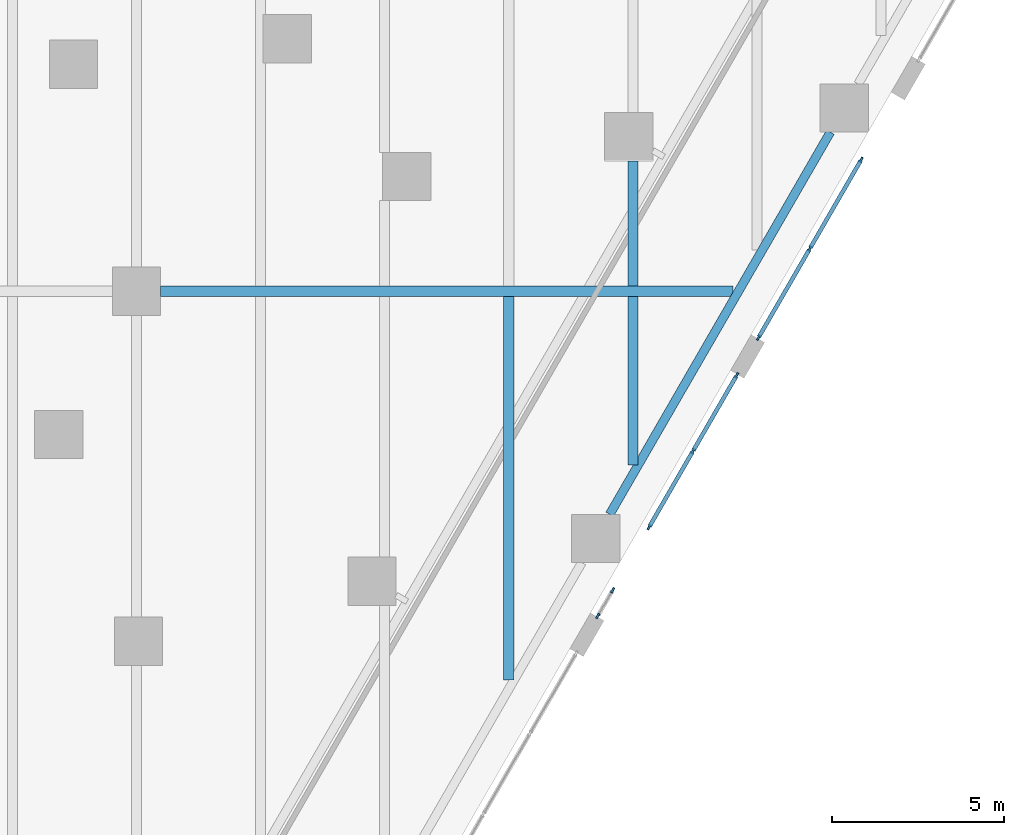
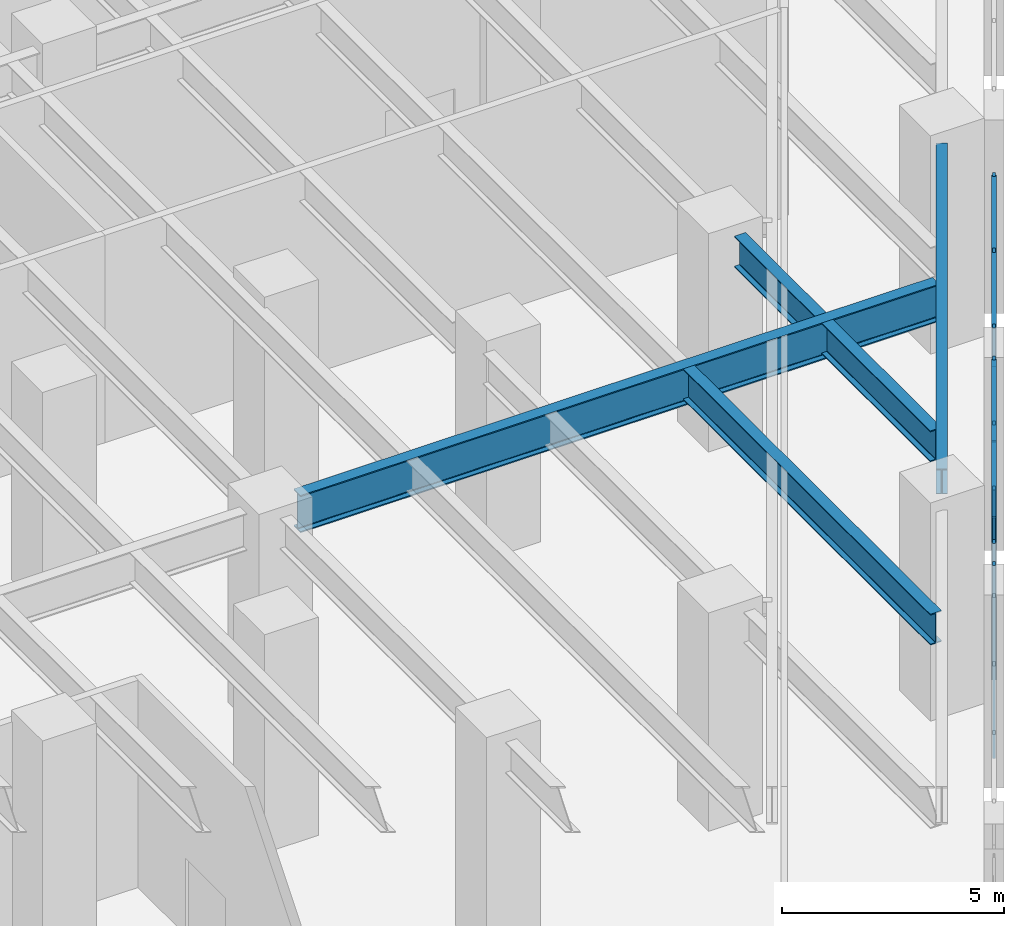
# One storey, part 13 of 37: 20 members, 5 beams, 3 elements without a shape of their own.
"""IFC4 building model written with IfcOpenShell, lengths in metres."""

from ifc_helpers import new_model, si_unit, direction, frame, origin, origin_2d, place, context, subcontext, project, spatial, rectangle, i_section, extrude, material, material_profile, profile_set, type_object, element, aggregate, save


model = new_model("IFC4")

# Units and contexts
model_context = context("Model", 3, precision=1e-05, world=origin(), true_north=direction((0.0, 1.0)))
body_context = subcontext(model_context, "Body", "Model", "MODEL_VIEW")
ifc_project = project(units=[si_unit("LENGTHUNIT", "METRE"), si_unit("AREAUNIT", "SQUARE_METRE"), si_unit("VOLUMEUNIT", "CUBIC_METRE"), si_unit("PLANEANGLEUNIT", "RADIAN"), si_unit("MASSUNIT", "GRAM", prefix="KILO")], contexts=[model_context])

# Site, building, storey
site_placement = place(None, origin())
site = spatial("IfcSite", under=ifc_project, at=site_placement, CompositionType="ELEMENT")
building_placement = place(site_placement, origin())
building = spatial("IfcBuilding", under=site, at=building_placement, Name="Aloe Facet Convention Tower", CompositionType="ELEMENT")
storey_placement = place(building_placement, frame((0.0, 0.0, 7.5)))
storey = spatial("IfcBuildingStorey", under=building, at=storey_placement, Name="L01", CompositionType="ELEMENT", Elevation=7.5)

# Curtain wall, members
ifc_material_1 = material(Name="Aluminium, anodised", Category="aluminium")
curtain_wall_type = type_object("IfcCurtainWallType", Name="EV-CW-SHOP", PredefinedType="USERDEFINED", material=ifc_material_1)
curtain_wall_1_placement = place(storey_placement, origin())
curtain_wall_1 = element("IfcCurtainWall", 1, at=curtain_wall_1_placement, inside=storey, type_object=curtain_wall_type, Name="CW-L01-E14-1", ObjectType="STICK SHOPFRONT GLAZING", PredefinedType="USERDEFINED")
ifc_material_2 = material(Name="Aluminium, anodised", Category="aluminium")
ifc_material_profile_1 = material_profile(ifc_material_2, rectangle(XDim=0.06005859375, YDim=0.159912109375, at=origin_2d()), Name="AL 60x160")
ifc_profile_set_1 = profile_set([ifc_material_profile_1], Name="Aluminium, anodised")
member_type_1 = type_object("IfcMemberType", Name="EV-MULL-SHOP", PredefinedType="MULLION", material=ifc_profile_set_1)
member_1_placement = place(storey_placement, frame((111.38427734375, 89.57958984375, -0.300048828125), z_axis=(0.0, 0.0, 1.0), x_axis=(-0.866025403872, 0.499999999849, 0.0)))
member_1 = element("IfcMember", 2, at=member_1_placement, type_object=member_type_1, Name="CW-L01-E14-1 mullion 1", PredefinedType="MULLION", context=body_context, shape_type="SweptSolid", body=[
    extrude(rectangle(XDim=0.06005859375, YDim=0.159912109375, at=origin_2d()), origin(), (0.0, 0.0, 1.0), 5.3125),
])
member_2_placement = place(storey_placement, frame((111.81591796875, 90.327392578125, -0.300048828125), z_axis=(0.0, 0.0, 1.0), x_axis=(-0.866025403872, 0.499999999849, 0.0)))
member_2 = element("IfcMember", 3, at=member_2_placement, type_object=member_type_1, Name="CW-L01-E14-1 mullion 2", PredefinedType="MULLION", context=body_context, shape_type="SweptSolid", body=[
    extrude(rectangle(XDim=0.06005859375, YDim=0.159912109375, at=origin_2d()), origin(), (0.0, 0.0, 1.0), 5.3125),
])
aggregate(curtain_wall_1, [member_1, member_2])

curtain_wall_2_placement = place(storey_placement, origin())
curtain_wall_2 = element("IfcCurtainWall", 4, at=curtain_wall_2_placement, inside=storey, type_object=curtain_wall_type, Name="CW-L01-E14-2", ObjectType="STICK SHOPFRONT GLAZING", PredefinedType="USERDEFINED")
member_3_placement = place(storey_placement, frame((112.87060546875, 92.15380859375, -0.300048828125), z_axis=(0.0, 0.0, 1.0), x_axis=(-0.866025403715, 0.500000000121, 0.0)))
member_3 = element("IfcMember", 5, at=member_3_placement, type_object=member_type_1, Name="CW-L01-E14-2 mullion 1", PredefinedType="MULLION", context=body_context, shape_type="SweptSolid", body=[
    extrude(rectangle(XDim=0.06005859375, YDim=0.159912109375, at=origin_2d()), origin(), (0.0, 0.0, 1.0), 5.3125),
])
member_4_placement = place(storey_placement, frame((114.142822265625, 94.357421875, -0.300048828125), z_axis=(0.0, 0.0, 1.0), x_axis=(-0.866025403715, 0.500000000121, 0.0)))
member_4 = element("IfcMember", 6, at=member_4_placement, type_object=member_type_1, Name="CW-L01-E14-2 mullion 2", PredefinedType="MULLION", context=body_context, shape_type="SweptSolid", body=[
    extrude(rectangle(XDim=0.06005859375, YDim=0.159912109375, at=origin_2d()), origin(), (0.0, 0.0, 1.0), 5.3125),
])
member_5_placement = place(storey_placement, frame((115.4150390625, 96.56103515625, -0.300048828125), z_axis=(0.0, 0.0, 1.0), x_axis=(-0.866025403715, 0.500000000121, 0.0)))
member_5 = element("IfcMember", 7, at=member_5_placement, type_object=member_type_1, Name="CW-L01-E14-2 mullion 3", PredefinedType="MULLION", context=body_context, shape_type="SweptSolid", body=[
    extrude(rectangle(XDim=0.06005859375, YDim=0.159912109375, at=origin_2d()), origin(), (0.0, 0.0, 1.0), 5.3125),
])

curtain_wall_3_placement = place(storey_placement, origin())
curtain_wall_3 = element("IfcCurtainWall", 8, at=curtain_wall_3_placement, inside=storey, type_object=curtain_wall_type, Name="CW-L01-E16", ObjectType="STICK SHOPFRONT GLAZING", PredefinedType="USERDEFINED")
member_6_placement = place(storey_placement, frame((116.044921875, 97.652099609375, -0.300048828125), z_axis=(0.0, 0.0, 1.0), x_axis=(-0.866025403828, 0.499999999924, 0.0)))
member_6 = element("IfcMember", 9, at=member_6_placement, type_object=member_type_1, Name="CW-L01-E16 mullion 1", PredefinedType="MULLION", context=body_context, shape_type="SweptSolid", body=[
    extrude(rectangle(XDim=0.06005859375, YDim=0.159912109375, at=origin_2d()), origin(), (0.0, 0.0, 1.0), 5.3125),
])
member_7_placement = place(storey_placement, frame((117.534423828125, 100.232177734375, -0.300048828125), z_axis=(0.0, 0.0, 1.0), x_axis=(-0.866025403828, 0.499999999924, 0.0)))
member_7 = element("IfcMember", 10, at=member_7_placement, type_object=member_type_1, Name="CW-L01-E16 mullion 2", PredefinedType="MULLION", context=body_context, shape_type="SweptSolid", body=[
    extrude(rectangle(XDim=0.06005859375, YDim=0.159912109375, at=origin_2d()), origin(), (0.0, 0.0, 1.0), 5.3125),
])
member_8_placement = place(storey_placement, frame((119.024169921875, 102.812255859375, -0.300048828125), z_axis=(0.0, 0.0, 1.0), x_axis=(-0.866025403828, 0.499999999924, 0.0)))
member_8 = element("IfcMember", 11, at=member_8_placement, type_object=member_type_1, Name="CW-L01-E16 mullion 3", PredefinedType="MULLION", context=body_context, shape_type="SweptSolid", body=[
    extrude(rectangle(XDim=0.06005859375, YDim=0.159912109375, at=origin_2d()), origin(), (0.0, 0.0, 1.0), 5.3125),
])

# Member
ifc_material_3 = material(Name="Aluminium, anodised", Category="aluminium")
ifc_material_profile_2 = material_profile(ifc_material_3, rectangle(XDim=0.1201171875, YDim=0.06005859375, at=origin_2d()), Name="AL 120x60")
ifc_profile_set_2 = profile_set([ifc_material_profile_2], Name="Aluminium, anodised")
member_type_2 = type_object("IfcMemberType", Name="EV-TRAN-SHOP", PredefinedType="USERDEFINED", material=ifc_profile_set_2)
member_9_placement = place(storey_placement, frame((112.885498046875, 92.179931640625, -0.27001953125), z_axis=(0.499986149909, 0.86603339999, 0.0), x_axis=(-0.86603339999, 0.499986149909, 0.0)))
member_9 = element("IfcMember", 12, at=member_9_placement, type_object=member_type_2, Name="CW-L01-E14-2 transom 1.1", ObjectType="TRANSOM", PredefinedType="USERDEFINED", context=body_context, shape_type="SweptSolid", body=[
    extrude(rectangle(XDim=0.1201171875, YDim=0.06005859375, at=origin_2d()), origin(), (0.0, 0.0, 1.0), 2.484375),
])

member_10_placement = place(storey_placement, frame((112.885498046875, 92.179931640625, 2.356201171875), z_axis=(0.499986149909, 0.86603339999, 0.0), x_axis=(-0.86603339999, 0.499986149909, 0.0)))
member_10 = element("IfcMember", 13, at=member_10_placement, type_object=member_type_2, Name="CW-L01-E14-2 transom 1.2", ObjectType="TRANSOM", PredefinedType="USERDEFINED", context=body_context, shape_type="SweptSolid", body=[
    extrude(rectangle(XDim=0.1201171875, YDim=0.06005859375, at=origin_2d()), origin(), (0.0, 0.0, 1.0), 2.484375),
])

member_11_placement = place(storey_placement, frame((112.885498046875, 92.179931640625, 4.982421875), z_axis=(0.499986149909, 0.86603339999, 0.0), x_axis=(-0.86603339999, 0.499986149909, 0.0)))
member_11 = element("IfcMember", 14, at=member_11_placement, type_object=member_type_2, Name="CW-L01-E14-2 transom 1.3", ObjectType="TRANSOM", PredefinedType="USERDEFINED", context=body_context, shape_type="SweptSolid", body=[
    extrude(rectangle(XDim=0.1201171875, YDim=0.06005859375, at=origin_2d()), origin(), (0.0, 0.0, 1.0), 2.484375),
])

member_12_placement = place(storey_placement, frame((114.15771484375, 94.383544921875, -0.27001953125), z_axis=(0.500028703312, 0.866008831286, 0.0), x_axis=(-0.866008831286, 0.500028703312, 0.0)))
member_12 = element("IfcMember", 15, at=member_12_placement, type_object=member_type_2, Name="CW-L01-E14-2 transom 2.1", ObjectType="TRANSOM", PredefinedType="USERDEFINED", context=body_context, shape_type="SweptSolid", body=[
    extrude(rectangle(XDim=0.1201171875, YDim=0.06005859375, at=origin_2d()), origin(), (0.0, 0.0, 1.0), 2.484130859375),
])

member_13_placement = place(storey_placement, frame((114.15771484375, 94.383544921875, 2.356201171875), z_axis=(0.500028703312, 0.866008831286, 0.0), x_axis=(-0.866008831286, 0.500028703312, 0.0)))
member_13 = element("IfcMember", 16, at=member_13_placement, type_object=member_type_2, Name="CW-L01-E14-2 transom 2.2", ObjectType="TRANSOM", PredefinedType="USERDEFINED", context=body_context, shape_type="SweptSolid", body=[
    extrude(rectangle(XDim=0.1201171875, YDim=0.06005859375, at=origin_2d()), origin(), (0.0, 0.0, 1.0), 2.484130859375),
])

member_14_placement = place(storey_placement, frame((114.15771484375, 94.383544921875, 4.982421875), z_axis=(0.500028703312, 0.866008831286, 0.0), x_axis=(-0.866008831286, 0.500028703312, 0.0)))
member_14 = element("IfcMember", 17, at=member_14_placement, type_object=member_type_2, Name="CW-L01-E14-2 transom 2.3", ObjectType="TRANSOM", PredefinedType="USERDEFINED", context=body_context, shape_type="SweptSolid", body=[
    extrude(rectangle(XDim=0.1201171875, YDim=0.06005859375, at=origin_2d()), origin(), (0.0, 0.0, 1.0), 2.484130859375),
])

aggregate(curtain_wall_2, [member_3, member_4, member_5, member_9, member_10, member_11, member_12, member_13, member_14])

member_15_placement = place(storey_placement, frame((116.059814453125, 97.67822265625, -0.27001953125), z_axis=(0.500033742649, 0.86600592158, 0.0), x_axis=(-0.86600592158, 0.500033742649, 0.0)))
member_15 = element("IfcMember", 18, at=member_15_placement, type_object=member_type_2, Name="CW-L01-E16 transom 1.1", ObjectType="TRANSOM", PredefinedType="USERDEFINED", context=body_context, shape_type="SweptSolid", body=[
    extrude(rectangle(XDim=0.1201171875, YDim=0.06005859375, at=origin_2d()), origin(), (0.0, 0.0, 1.0), 2.919189453125),
])

member_16_placement = place(storey_placement, frame((116.059814453125, 97.67822265625, 2.356201171875), z_axis=(0.500033742649, 0.86600592158, 0.0), x_axis=(-0.86600592158, 0.500033742649, 0.0)))
member_16 = element("IfcMember", 19, at=member_16_placement, type_object=member_type_2, Name="CW-L01-E16 transom 1.2", ObjectType="TRANSOM", PredefinedType="USERDEFINED", context=body_context, shape_type="SweptSolid", body=[
    extrude(rectangle(XDim=0.1201171875, YDim=0.06005859375, at=origin_2d()), origin(), (0.0, 0.0, 1.0), 2.919189453125),
])

member_17_placement = place(storey_placement, frame((116.059814453125, 97.67822265625, 4.982421875), z_axis=(0.500033742649, 0.86600592158, 0.0), x_axis=(-0.86600592158, 0.500033742649, 0.0)))
member_17 = element("IfcMember", 20, at=member_17_placement, type_object=member_type_2, Name="CW-L01-E16 transom 1.3", ObjectType="TRANSOM", PredefinedType="USERDEFINED", context=body_context, shape_type="SweptSolid", body=[
    extrude(rectangle(XDim=0.1201171875, YDim=0.06005859375, at=origin_2d()), origin(), (0.0, 0.0, 1.0), 2.919189453125),
])

member_18_placement = place(storey_placement, frame((117.549560546875, 100.25830078125, -0.27001953125), z_axis=(0.500033742649, 0.86600592158, 0.0), x_axis=(-0.86600592158, 0.500033742649, 0.0)))
member_18 = element("IfcMember", 21, at=member_18_placement, type_object=member_type_2, Name="CW-L01-E16 transom 2.1", ObjectType="TRANSOM", PredefinedType="USERDEFINED", context=body_context, shape_type="SweptSolid", body=[
    extrude(rectangle(XDim=0.1201171875, YDim=0.06005859375, at=origin_2d()), origin(), (0.0, 0.0, 1.0), 2.919189453125),
])

member_19_placement = place(storey_placement, frame((117.549560546875, 100.25830078125, 2.356201171875), z_axis=(0.500033742649, 0.86600592158, 0.0), x_axis=(-0.86600592158, 0.500033742649, 0.0)))
member_19 = element("IfcMember", 22, at=member_19_placement, type_object=member_type_2, Name="CW-L01-E16 transom 2.2", ObjectType="TRANSOM", PredefinedType="USERDEFINED", context=body_context, shape_type="SweptSolid", body=[
    extrude(rectangle(XDim=0.1201171875, YDim=0.06005859375, at=origin_2d()), origin(), (0.0, 0.0, 1.0), 2.919189453125),
])

member_20_placement = place(storey_placement, frame((117.549560546875, 100.25830078125, 4.982421875), z_axis=(0.500033742649, 0.86600592158, 0.0), x_axis=(-0.86600592158, 0.500033742649, 0.0)))
member_20 = element("IfcMember", 23, at=member_20_placement, type_object=member_type_2, Name="CW-L01-E16 transom 2.3", ObjectType="TRANSOM", PredefinedType="USERDEFINED", context=body_context, shape_type="SweptSolid", body=[
    extrude(rectangle(XDim=0.1201171875, YDim=0.06005859375, at=origin_2d()), origin(), (0.0, 0.0, 1.0), 2.919189453125),
])

aggregate(curtain_wall_3, [member_6, member_7, member_8, member_15, member_16, member_17, member_18, member_19, member_20])

# Beams
ifc_material_4 = material(Name="Steel S355", Category="steel")
ifc_material_profile_3 = material_profile(ifc_material_4, i_section(OverallWidth=0.305419921875, OverallDepth=1.02587890625, WebThickness=0.02001953125, FlangeThickness=0.031005859375, FilletRadius=0.030029296875, at=origin_2d()), Name="UB 1016x305x349")
ifc_profile_set_3 = profile_set([ifc_material_profile_3], Name="Steel S355")
beam_type_1 = type_object("IfcBeamType", Name="SF-B-UB1016x305x349", PredefinedType="BEAM", material=ifc_profile_set_3)
beam_1_placement = place(storey_placement, frame((98.699951171875, 99.0, 5.18701171875), z_axis=(1.0, 0.0, 0.0), x_axis=(0.0, 1.0, 0.0)))
element("IfcBeam", 24, at=beam_1_placement, inside=storey, type_object=beam_type_1, Name="Floor beam FB-L02-046", PredefinedType="BEAM", context=body_context, shape_type="SweptSolid", body=[
    extrude(i_section(OverallWidth=0.305419921875, OverallDepth=1.02587890625, WebThickness=0.02001953125, FlangeThickness=0.031005859375, FilletRadius=0.030029296875, at=origin_2d()), origin(), (0.0, 0.0, 1.0), 16.609375),
])
ifc_material_5 = material(Name="Steel S355", Category="steel")
ifc_material_profile_4 = material_profile(ifc_material_5, i_section(OverallWidth=0.25439453125, OverallDepth=0.6875, WebThickness=0.01318359375, FlangeThickness=0.02099609375, FilletRadius=0.01513671875, at=origin_2d()), Name="UB 686x254x152")
ifc_profile_set_4 = profile_set([ifc_material_profile_4], Name="Steel S355")
beam_type_2 = type_object("IfcBeamType", Name="SF-B-UB686x254x152", PredefinedType="BEAM", material=ifc_profile_set_4)
beam_2_placement = place(storey_placement, frame((118.129638671875, 103.613037109375, 5.356201171875), z_axis=(-0.499999833739, -0.866025499775, 0.0), x_axis=(0.866025499775, -0.499999833739, 0.0)))
element("IfcBeam", 25, at=beam_2_placement, inside=storey, type_object=beam_type_2, Name="Floor beam FB-L02-024", PredefinedType="BEAM", context=body_context, shape_type="SweptSolid", body=[
    extrude(i_section(OverallWidth=0.25439453125, OverallDepth=0.6875, WebThickness=0.01318359375, FlangeThickness=0.02099609375, FilletRadius=0.01513671875, at=origin_2d()), origin(), (0.0, 0.0, 1.0), 12.7998046875),
])
ifc_material_6 = material(Name="Steel S355", Category="steel")
ifc_material_profile_5 = material_profile(ifc_material_6, i_section(OverallWidth=0.293701171875, OverallDepth=0.850830078125, WebThickness=0.01611328125, FlangeThickness=0.02685546875, FilletRadius=0.017822265625, at=origin_2d()), Name="UB 838x292x226")
ifc_profile_set_5 = profile_set([ifc_material_profile_5], Name="Steel S355")
beam_type_3 = type_object("IfcBeamType", Name="SF-B-UB838x292x226", PredefinedType="BEAM", material=ifc_profile_set_5)
beam_3_placement = place(storey_placement, frame((108.800048828125, 87.718017578125, 5.2744140625), z_axis=(0.0, 1.0, 0.0), x_axis=(-1.0, 0.0, 0.0)))
element("IfcBeam", 26, at=beam_3_placement, inside=storey, type_object=beam_type_3, Name="Floor beam FB-L02-152", PredefinedType="BEAM", context=body_context, shape_type="SweptSolid", body=[
    extrude(i_section(OverallWidth=0.293701171875, OverallDepth=0.850830078125, WebThickness=0.01611328125, FlangeThickness=0.02685546875, FilletRadius=0.017822265625, at=origin_2d()), origin(), (0.0, 0.0, 1.0), 11.12939453125),
])
beam_4_placement = place(storey_placement, frame((112.39990234375, 93.95361328125, 5.2744140625), z_axis=(0.0, 1.0, 0.0), x_axis=(-1.0, 0.0, 0.0)))
element("IfcBeam", 27, at=beam_4_placement, inside=storey, type_object=beam_type_3, Name="Floor beam FB-L02-155", PredefinedType="BEAM", context=body_context, shape_type="SweptSolid", body=[
    extrude(i_section(OverallWidth=0.293701171875, OverallDepth=0.850830078125, WebThickness=0.01611328125, FlangeThickness=0.02685546875, FilletRadius=0.017822265625, at=origin_2d()), origin(), (0.0, 0.0, 1.0), 4.893798828125),
])
beam_5_placement = place(storey_placement, frame((112.39990234375, 99.152587890625, 5.2744140625), z_axis=(0.0, 1.0, 0.0), x_axis=(-1.0, 0.0, 0.0)))
element("IfcBeam", 28, at=beam_5_placement, inside=storey, type_object=beam_type_3, Name="Floor beam FB-L02-156", PredefinedType="BEAM", context=body_context, shape_type="SweptSolid", body=[
    extrude(i_section(OverallWidth=0.293701171875, OverallDepth=0.850830078125, WebThickness=0.01611328125, FlangeThickness=0.02685546875, FilletRadius=0.017822265625, at=origin_2d()), origin(), (0.0, 0.0, 1.0), 3.63232421875),
])

save(model, "model.ifc")
